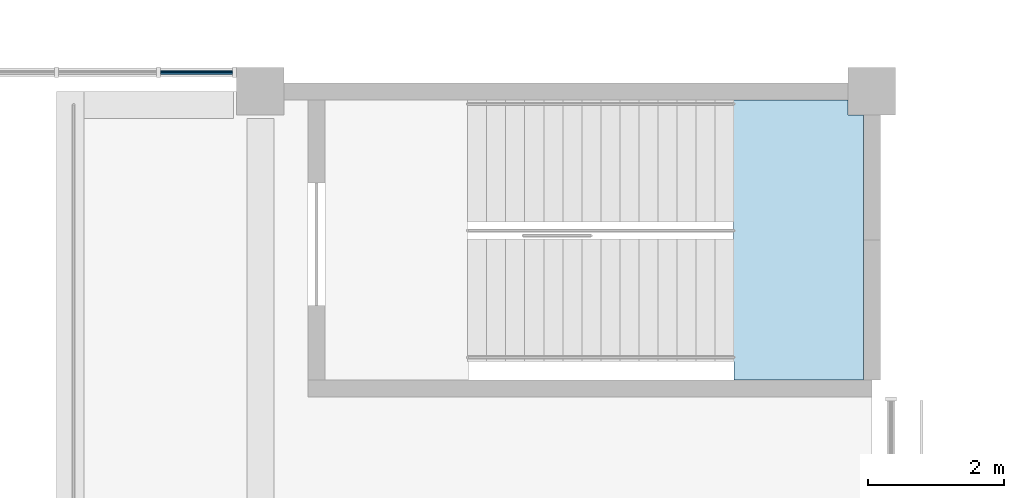
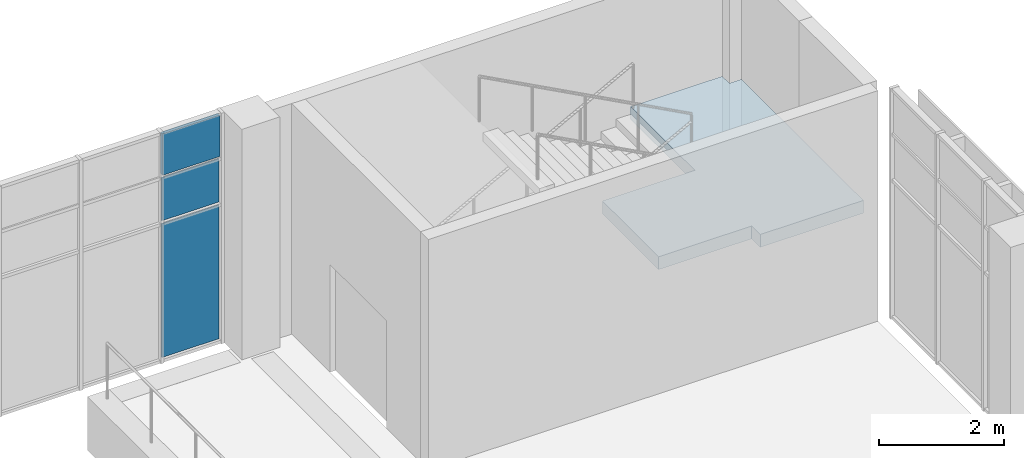
# One storey, part 61 of 106: 3 plates, 1 slab, 2 elements without a shape of their own.
"""IFC4 building model written with IfcOpenShell, lengths in metres."""

from ifc_helpers import new_model, si_unit, direction, frame, origin, origin_2d, place, context, subcontext, project, spatial, polyline, rectangle, outline, extrude, material, layer, layer_set, type_object, element, aggregate, save


model = new_model("IFC4")

# Units and contexts
model_context = context("Model", 3, precision=1e-05, world=origin(), true_north=direction((0.0, 1.0)))
body_context = subcontext(model_context, "Body", "Model", "MODEL_VIEW")
ifc_project = project(units=[si_unit("LENGTHUNIT", "METRE"), si_unit("AREAUNIT", "SQUARE_METRE"), si_unit("VOLUMEUNIT", "CUBIC_METRE"), si_unit("PLANEANGLEUNIT", "RADIAN"), si_unit("MASSUNIT", "GRAM", prefix="KILO")], contexts=[model_context])

# Site, building, storey
site_placement = place(None, origin())
site = spatial("IfcSite", under=ifc_project, at=site_placement, CompositionType="ELEMENT")
building_placement = place(site_placement, origin())
building = spatial("IfcBuilding", under=site, at=building_placement, Name="Guidao Yard Department Store", CompositionType="ELEMENT")
storey_placement = place(building_placement, frame((0.0, 0.0, 10.5)))
storey = spatial("IfcBuildingStorey", under=building, at=storey_placement, Name="L02", CompositionType="ELEMENT", Elevation=10.5)

# Curtain wall, plate
ifc_material_1 = material(Name="Aluminium and glass", Category="aluminium")
ifc_layer_1 = layer(ifc_material_1, 0.159912109375)
ifc_layer_set_1 = layer_set([ifc_layer_1], Name="Shopfront curtain wall CW1 1500 module")
curtain_wall_type = type_object("IfcCurtainWallType", Name="Shopfront curtain wall CW1 1500 module", PredefinedType="NOTDEFINED", material=ifc_layer_set_1)
curtain_wall_placement = place(storey_placement, origin())
curtain_wall = element("IfcCurtainWall", 1, at=curtain_wall_placement, inside=storey, type_object=curtain_wall_type, Name="Arcade gable glazing", PredefinedType="NOTDEFINED")
ifc_material_2 = material(Name="Aluminium 6063-T5 faced insulated spandrel", Category="aluminium")
ifc_layer_2 = layer(ifc_material_2, 0.06005859375)
ifc_layer_set_2 = layer_set([ifc_layer_2], Name="Spandrel panel SP1 insulated opaque")
plate_type_1 = type_object("IfcPlateType", Name="Spandrel panel SP1 insulated opaque", PredefinedType="CURTAIN_PANEL", material=ifc_layer_set_2)
plate_1_placement = place(storey_placement, frame((98.06005859375, 108.280029296875, 3.6298828125), z_axis=(0.0, 0.0, 1.0), x_axis=(1.0, 0.0, 0.0)))
plate_1 = element("IfcPlate", 2, at=plate_1_placement, type_object=plate_type_1, Name="CW-AG-L02-01 panel 12.3", PredefinedType="CURTAIN_PANEL", context=body_context, shape_type="SweptSolid", body=[
    extrude(rectangle(XDim=1.06005859375, YDim=0.06005859375, at=origin_2d()), origin(), (0.0, 0.0, 1.0), 0.81005859375),
])

# Stair, slab
ifc_material_3 = material(Name="Concrete C35", Category="concrete")
stair_type = type_object("IfcStairType", Name="Stair half-turn two-flight 1800 wide 4.5 m rise", PredefinedType="HALF_TURN_STAIR", material=ifc_material_3)
stair_placement = place(storey_placement, origin())
stair = element("IfcStair", 3, at=stair_placement, inside=storey, type_object=stair_type, Name="Stair G4 L02 to L03", PredefinedType="HALF_TURN_STAIR")
ifc_material_4 = material(Name="Concrete C35", Category="concrete")
ifc_layer_3 = layer(ifc_material_4, 0.25)
ifc_layer_set_3 = layer_set([ifc_layer_3], Name="Stair landing RC 250 C35")
slab_type = type_object("IfcSlabType", Name="Stair landing RC 250 C35", PredefinedType="LANDING", material=ifc_layer_set_3)
slab_placement = place(storey_placement, frame((0.0, 0.0, 2.0)))
slab = element("IfcSlab", 4, at=slab_placement, type_object=slab_type, Name="SG4-L02 landing 1", PredefinedType="LANDING", context=body_context, shape_type="SweptSolid", body=[
    extrude(outline(polyline([(104.251953125, 105.824951171875), (105.9599609375, 105.824951171875), (105.9599609375, 107.875), (105.969970703125, 107.875), (107.64990234375, 107.875), (107.64990234375, 107.64990234375), (107.875, 107.64990234375), (107.875, 103.75), (105.969970703125, 103.75), (105.969970703125, 104.02490234375), (104.251953125, 104.02490234375), (104.251953125, 105.824951171875)])), origin(), (0.0, 0.0, 1.0), 0.25),
])
aggregate(stair, [slab])

# Plate
ifc_material_5 = material(Name="Laminated heat-soaked tempered glass", Category="glass")
ifc_layer_4 = layer(ifc_material_5, 0.017578125)
ifc_layer_set_4 = layer_set([ifc_layer_4], Name="Vision glass VG1 laminated heat-soaked tempered 8+8")
plate_type_2 = type_object("IfcPlateType", Name="Vision glass VG1 laminated heat-soaked tempered 8+8", PredefinedType="CURTAIN_PANEL", material=ifc_layer_set_4)
plate_2_placement = place(storey_placement, frame((98.06005859375, 108.280029296875, 0.06005859375), z_axis=(0.0, 0.0, 1.0), x_axis=(1.0, 0.0, 0.0)))
plate_2 = element("IfcPlate", 5, at=plate_2_placement, type_object=plate_type_2, Name="CW-AG-L02-01 panel 12.1", PredefinedType="CURTAIN_PANEL", context=body_context, shape_type="SweptSolid", body=[
    extrude(rectangle(XDim=1.06005859375, YDim=0.017578125, at=origin_2d()), origin(), (0.0, 0.0, 1.0), 2.610107421875),
])

plate_3_placement = place(storey_placement, frame((98.06005859375, 108.280029296875, 2.72998046875), z_axis=(0.0, 0.0, 1.0), x_axis=(1.0, 0.0, 0.0)))
plate_3 = element("IfcPlate", 6, at=plate_3_placement, type_object=plate_type_2, Name="CW-AG-L02-01 panel 12.2", PredefinedType="CURTAIN_PANEL", context=body_context, shape_type="SweptSolid", body=[
    extrude(rectangle(XDim=1.06005859375, YDim=0.017578125, at=origin_2d()), origin(), (0.0, 0.0, 1.0), 0.840087890625),
])

aggregate(curtain_wall, [plate_2, plate_3, plate_1])

save(model, "model.ifc")
